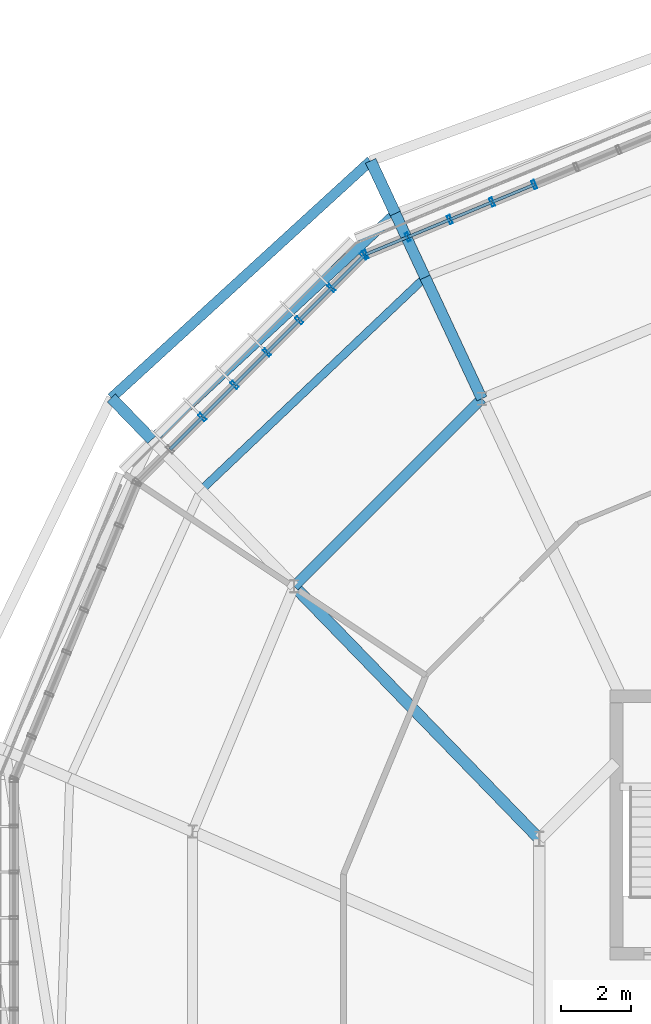
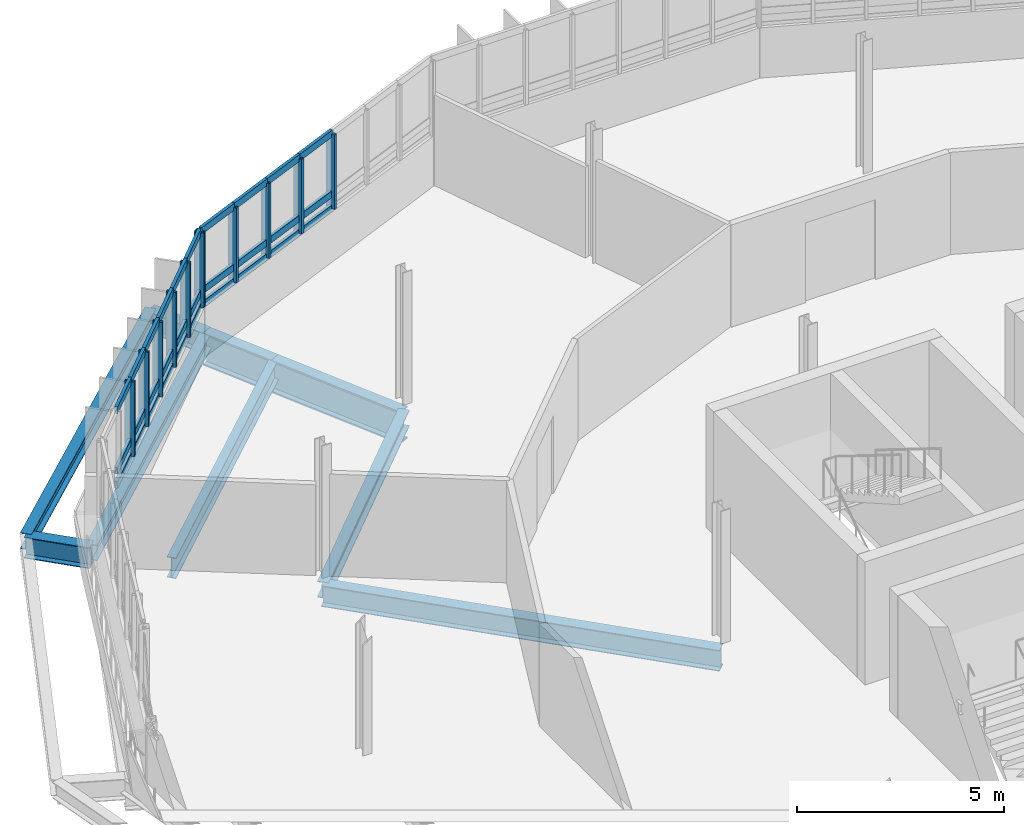
# One storey, part 16 of 38: 41 members, 9 beams, 2 elements without a shape of their own.
"""IFC4 building model written with IfcOpenShell, lengths in metres."""

from ifc_helpers import new_model, si_unit, derived_unit, direction, frame, origin, origin_2d, place, context, subcontext, project, spatial, hollow_rectangle, i_section, extrude, material, layer, layer_set, material_profile, profile_set, type_object, element, aggregate, save


model = new_model("IFC4")

# Units and contexts
model_context = context("Model", 3, precision=1e-05, world=origin(), true_north=direction((0.0, 1.0)))
body_context = subcontext(model_context, "Body", "Model", "MODEL_VIEW")
ifc_project = project(units=[si_unit("LENGTHUNIT", "METRE"), si_unit("AREAUNIT", "SQUARE_METRE"), si_unit("VOLUMEUNIT", "CUBIC_METRE"), si_unit("PLANEANGLEUNIT", "RADIAN"), si_unit("MASSUNIT", "GRAM", prefix="KILO"), derived_unit("THERMALTRANSMITTANCEUNIT", [(si_unit("MASSUNIT", "GRAM", prefix="KILO"), 1), (si_unit("TIMEUNIT", "SECOND"), -3), (si_unit("THERMODYNAMICTEMPERATUREUNIT", "KELVIN"), -1)])], contexts=[model_context])

# Site, building, storey
site_placement = place(None, origin())
site = spatial("IfcSite", under=ifc_project, at=site_placement, CompositionType="ELEMENT")
building_placement = place(site_placement, origin())
building = spatial("IfcBuilding", under=site, at=building_placement, Name="Makaiwela Harbour Ferry Terminal", CompositionType="ELEMENT")
storey_placement = place(building_placement, frame((0.0, 0.0, 17.699951171875)))
storey = spatial("IfcBuildingStorey", under=building, at=storey_placement, Name="L04", CompositionType="ELEMENT", Elevation=17.699951171875)

# Curtain wall, members
ifc_material_1 = material(Name="Marine anodised aluminium 6063-T6", Category="aluminium")
ifc_layer = layer(ifc_material_1, 0.199951171875)
ifc_layer_set = layer_set([ifc_layer], Name="Marine anodised aluminium 6063-T6")
curtain_wall_type = type_object("IfcCurtainWallType", Name="ENV-CW-06", PredefinedType="USERDEFINED", material=ifc_layer_set)
curtain_wall_1_placement = place(storey_placement, origin())
curtain_wall_1 = element("IfcCurtainWall", 1, at=curtain_wall_1_placement, inside=storey, type_object=curtain_wall_type, Name="Unitised Curtain Wall CWA-047", ObjectType="UNITIZED CURTAIN WALL", PredefinedType="USERDEFINED")
ifc_material_profile_1 = material_profile(ifc_material_1, hollow_rectangle(XDim=0.0849609375, YDim=0.25, WallThickness=0.0048828125, at=origin_2d()), Name="CWM-250X85")
ifc_profile_set_1 = profile_set([ifc_material_profile_1], Name="Marine anodised aluminium 6063-T6")
member_type_1 = type_object("IfcMemberType", Name="CW-MUL-250", PredefinedType="MULLION", material=ifc_profile_set_1)
member_1_placement = place(storey_placement, frame((27.865966796875, 90.22119140625, 1.47998046875), z_axis=(0.0, 0.0, 1.0), x_axis=(0.923879532511, 0.382683432365, 0.0)))
member_1 = element("IfcMember", 2, at=member_1_placement, type_object=member_type_1, Name="Curtain Wall Mullion CWA-047-4", PredefinedType="MULLION", context=body_context, shape_type="SweptSolid", body=[
    extrude(hollow_rectangle(XDim=0.0849609375, YDim=0.25, WallThickness=0.0048828125, at=origin_2d()), origin(), (0.0, 0.0, 1.0), 2.199951171875),
])
member_2_placement = place(storey_placement, frame((26.668701171875, 89.7255859375, 1.47998046875), z_axis=(0.0, 0.0, 1.0), x_axis=(0.923879532511, 0.382683432365, 0.0)))
member_2 = element("IfcMember", 3, at=member_2_placement, type_object=member_type_1, Name="Curtain Wall Mullion CWA-047-5", PredefinedType="MULLION", context=body_context, shape_type="SweptSolid", body=[
    extrude(hollow_rectangle(XDim=0.0849609375, YDim=0.25, WallThickness=0.0048828125, at=origin_2d()), origin(), (0.0, 0.0, 1.0), 2.199951171875),
])
member_3_placement = place(storey_placement, frame((25.4716796875, 89.2294921875, 1.47998046875), z_axis=(0.0, 0.0, 1.0), x_axis=(0.923879532511, 0.382683432365, 0.0)))
member_3 = element("IfcMember", 4, at=member_3_placement, type_object=member_type_1, Name="Curtain Wall Mullion CWA-047-6", PredefinedType="MULLION", context=body_context, shape_type="SweptSolid", body=[
    extrude(hollow_rectangle(XDim=0.0849609375, YDim=0.25, WallThickness=0.0048828125, at=origin_2d()), origin(), (0.0, 0.0, 1.0), 2.199951171875),
])
member_4_placement = place(storey_placement, frame((24.2744140625, 88.73388671875, 1.47998046875), z_axis=(0.0, 0.0, 1.0), x_axis=(0.923879532511, 0.382683432365, 0.0)))
member_4 = element("IfcMember", 5, at=member_4_placement, type_object=member_type_1, Name="Curtain Wall Mullion CWA-047-7", PredefinedType="MULLION", context=body_context, shape_type="SweptSolid", body=[
    extrude(hollow_rectangle(XDim=0.0849609375, YDim=0.25, WallThickness=0.0048828125, at=origin_2d()), origin(), (0.0, 0.0, 1.0), 2.199951171875),
])
member_5_placement = place(storey_placement, frame((23.077392578125, 88.23779296875, 1.47998046875), z_axis=(0.0, 0.0, 1.0), x_axis=(0.923879532511, 0.382683432365, 0.0)))
member_5 = element("IfcMember", 6, at=member_5_placement, type_object=member_type_1, Name="Curtain Wall Mullion CWA-047-8", PredefinedType="MULLION", context=body_context, shape_type="SweptSolid", body=[
    extrude(hollow_rectangle(XDim=0.0849609375, YDim=0.25, WallThickness=0.0048828125, at=origin_2d()), origin(), (0.0, 0.0, 1.0), 2.199951171875),
])

curtain_wall_2_placement = place(storey_placement, origin())
curtain_wall_2 = element("IfcCurtainWall", 7, at=curtain_wall_2_placement, inside=storey, type_object=curtain_wall_type, Name="Unitised Curtain Wall CWA-048", ObjectType="UNITIZED CURTAIN WALL", PredefinedType="USERDEFINED")
member_6_placement = place(storey_placement, frame((23.028564453125, 88.205078125, 1.47998046875), z_axis=(0.0, 0.0, 1.0), x_axis=(0.707106781187, 0.707106781187, 0.0)))
member_6 = element("IfcMember", 8, at=member_6_placement, type_object=member_type_1, Name="Curtain Wall Mullion CWA-048-1", PredefinedType="MULLION", context=body_context, shape_type="SweptSolid", body=[
    extrude(hollow_rectangle(XDim=0.0849609375, YDim=0.25, WallThickness=0.0048828125, at=origin_2d()), origin(), (0.0, 0.0, 1.0), 2.199951171875),
])
member_7_placement = place(storey_placement, frame((22.1123046875, 87.2890625, 1.47998046875), z_axis=(0.0, 0.0, 1.0), x_axis=(0.707106781187, 0.707106781187, 0.0)))
member_7 = element("IfcMember", 9, at=member_7_placement, type_object=member_type_1, Name="Curtain Wall Mullion CWA-048-2", PredefinedType="MULLION", context=body_context, shape_type="SweptSolid", body=[
    extrude(hollow_rectangle(XDim=0.0849609375, YDim=0.25, WallThickness=0.0048828125, at=origin_2d()), origin(), (0.0, 0.0, 1.0), 2.199951171875),
])
member_8_placement = place(storey_placement, frame((21.196044921875, 86.372802734375, 1.47998046875), z_axis=(0.0, 0.0, 1.0), x_axis=(0.707106781187, 0.707106781187, 0.0)))
member_8 = element("IfcMember", 10, at=member_8_placement, type_object=member_type_1, Name="Curtain Wall Mullion CWA-048-3", PredefinedType="MULLION", context=body_context, shape_type="SweptSolid", body=[
    extrude(hollow_rectangle(XDim=0.0849609375, YDim=0.25, WallThickness=0.0048828125, at=origin_2d()), origin(), (0.0, 0.0, 1.0), 2.199951171875),
])
member_9_placement = place(storey_placement, frame((20.27978515625, 85.45654296875, 1.47998046875), z_axis=(0.0, 0.0, 1.0), x_axis=(0.707106781187, 0.707106781187, 0.0)))
member_9 = element("IfcMember", 11, at=member_9_placement, type_object=member_type_1, Name="Curtain Wall Mullion CWA-048-4", PredefinedType="MULLION", context=body_context, shape_type="SweptSolid", body=[
    extrude(hollow_rectangle(XDim=0.0849609375, YDim=0.25, WallThickness=0.0048828125, at=origin_2d()), origin(), (0.0, 0.0, 1.0), 2.199951171875),
])
member_10_placement = place(storey_placement, frame((19.363525390625, 84.540283203125, 1.47998046875), z_axis=(0.0, 0.0, 1.0), x_axis=(0.707106781187, 0.707106781187, 0.0)))
member_10 = element("IfcMember", 12, at=member_10_placement, type_object=member_type_1, Name="Curtain Wall Mullion CWA-048-5", PredefinedType="MULLION", context=body_context, shape_type="SweptSolid", body=[
    extrude(hollow_rectangle(XDim=0.0849609375, YDim=0.25, WallThickness=0.0048828125, at=origin_2d()), origin(), (0.0, 0.0, 1.0), 2.199951171875),
])
member_11_placement = place(storey_placement, frame((18.447265625, 83.6240234375, 1.47998046875), z_axis=(0.0, 0.0, 1.0), x_axis=(0.707106781187, 0.707106781187, 0.0)))
member_11 = element("IfcMember", 13, at=member_11_placement, type_object=member_type_1, Name="Curtain Wall Mullion CWA-048-6", PredefinedType="MULLION", context=body_context, shape_type="SweptSolid", body=[
    extrude(hollow_rectangle(XDim=0.0849609375, YDim=0.25, WallThickness=0.0048828125, at=origin_2d()), origin(), (0.0, 0.0, 1.0), 2.199951171875),
])

# Member
ifc_material_profile_2 = material_profile(ifc_material_1, hollow_rectangle(XDim=0.0849609375, YDim=0.199951171875, WallThickness=0.0048828125, at=origin_2d()), Name="CWT-200X85")
ifc_profile_set_2 = profile_set([ifc_material_profile_2], Name="Marine anodised aluminium 6063-T6")
member_type_2 = type_object("IfcMemberType", Name="CW-TRN-200", PredefinedType="USERDEFINED", material=ifc_profile_set_2)
member_12_placement = place(storey_placement, frame((27.865966796875, 90.22119140625, 1.47998046875), z_axis=(-0.923966326456, -0.382473826, 0.0), x_axis=(0.382473826, -0.923966326456, 0.0)))
member_12 = element("IfcMember", 14, at=member_12_placement, type_object=member_type_2, Name="Curtain Wall Transom CWA-047-4-1", ObjectType="TRANSOM", PredefinedType="USERDEFINED", context=body_context, shape_type="SweptSolid", body=[
    extrude(hollow_rectangle(XDim=0.0849609375, YDim=0.199951171875, WallThickness=0.0048828125, at=origin_2d()), origin(), (0.0, 0.0, 1.0), 1.2958984375),
])

member_13_placement = place(storey_placement, frame((27.865966796875, 90.22119140625, 1.900146484375), z_axis=(-0.923966326456, -0.382473826, 0.0), x_axis=(0.382473826, -0.923966326456, 0.0)))
member_13 = element("IfcMember", 15, at=member_13_placement, type_object=member_type_2, Name="Curtain Wall Transom CWA-047-4-2", ObjectType="TRANSOM", PredefinedType="USERDEFINED", context=body_context, shape_type="SweptSolid", body=[
    extrude(hollow_rectangle(XDim=0.0849609375, YDim=0.199951171875, WallThickness=0.0048828125, at=origin_2d()), origin(), (0.0, 0.0, 1.0), 1.2958984375),
])

member_14_placement = place(storey_placement, frame((27.865966796875, 90.22119140625, 3.679931640625), z_axis=(-0.923966326456, -0.382473826, 0.0), x_axis=(0.382473826, -0.923966326456, 0.0)))
member_14 = element("IfcMember", 16, at=member_14_placement, type_object=member_type_2, Name="Curtain Wall Transom CWA-047-4-3", ObjectType="TRANSOM", PredefinedType="USERDEFINED", context=body_context, shape_type="SweptSolid", body=[
    extrude(hollow_rectangle(XDim=0.0849609375, YDim=0.199951171875, WallThickness=0.0048828125, at=origin_2d()), origin(), (0.0, 0.0, 1.0), 1.2958984375),
])

member_15_placement = place(storey_placement, frame((26.668701171875, 89.7255859375, 1.47998046875), z_axis=(-0.92380551211, -0.382862084562, 0.0), x_axis=(0.382862084562, -0.92380551211, 0.0)))
member_15 = element("IfcMember", 17, at=member_15_placement, type_object=member_type_2, Name="Curtain Wall Transom CWA-047-5-1", ObjectType="TRANSOM", PredefinedType="USERDEFINED", context=body_context, shape_type="SweptSolid", body=[
    extrude(hollow_rectangle(XDim=0.0849609375, YDim=0.199951171875, WallThickness=0.0048828125, at=origin_2d()), origin(), (0.0, 0.0, 1.0), 1.295654296875),
])

member_16_placement = place(storey_placement, frame((26.668701171875, 89.7255859375, 1.900146484375), z_axis=(-0.92380551211, -0.382862084562, 0.0), x_axis=(0.382862084562, -0.92380551211, 0.0)))
member_16 = element("IfcMember", 18, at=member_16_placement, type_object=member_type_2, Name="Curtain Wall Transom CWA-047-5-2", ObjectType="TRANSOM", PredefinedType="USERDEFINED", context=body_context, shape_type="SweptSolid", body=[
    extrude(hollow_rectangle(XDim=0.0849609375, YDim=0.199951171875, WallThickness=0.0048828125, at=origin_2d()), origin(), (0.0, 0.0, 1.0), 1.295654296875),
])

member_17_placement = place(storey_placement, frame((26.668701171875, 89.7255859375, 3.679931640625), z_axis=(-0.92380551211, -0.382862084562, 0.0), x_axis=(0.382862084562, -0.92380551211, 0.0)))
member_17 = element("IfcMember", 19, at=member_17_placement, type_object=member_type_2, Name="Curtain Wall Transom CWA-047-5-3", ObjectType="TRANSOM", PredefinedType="USERDEFINED", context=body_context, shape_type="SweptSolid", body=[
    extrude(hollow_rectangle(XDim=0.0849609375, YDim=0.199951171875, WallThickness=0.0048828125, at=origin_2d()), origin(), (0.0, 0.0, 1.0), 1.295654296875),
])

member_18_placement = place(storey_placement, frame((25.4716796875, 89.2294921875, 1.47998046875), z_axis=(-0.923966326456, -0.382473826, 0.0), x_axis=(0.382473826, -0.923966326456, 0.0)))
member_18 = element("IfcMember", 20, at=member_18_placement, type_object=member_type_2, Name="Curtain Wall Transom CWA-047-6-1", ObjectType="TRANSOM", PredefinedType="USERDEFINED", context=body_context, shape_type="SweptSolid", body=[
    extrude(hollow_rectangle(XDim=0.0849609375, YDim=0.199951171875, WallThickness=0.0048828125, at=origin_2d()), origin(), (0.0, 0.0, 1.0), 1.2958984375),
])

member_19_placement = place(storey_placement, frame((25.4716796875, 89.2294921875, 1.900146484375), z_axis=(-0.923966326456, -0.382473826, 0.0), x_axis=(0.382473826, -0.923966326456, 0.0)))
member_19 = element("IfcMember", 21, at=member_19_placement, type_object=member_type_2, Name="Curtain Wall Transom CWA-047-6-2", ObjectType="TRANSOM", PredefinedType="USERDEFINED", context=body_context, shape_type="SweptSolid", body=[
    extrude(hollow_rectangle(XDim=0.0849609375, YDim=0.199951171875, WallThickness=0.0048828125, at=origin_2d()), origin(), (0.0, 0.0, 1.0), 1.2958984375),
])

member_20_placement = place(storey_placement, frame((25.4716796875, 89.2294921875, 3.679931640625), z_axis=(-0.923966326456, -0.382473826, 0.0), x_axis=(0.382473826, -0.923966326456, 0.0)))
member_20 = element("IfcMember", 22, at=member_20_placement, type_object=member_type_2, Name="Curtain Wall Transom CWA-047-6-3", ObjectType="TRANSOM", PredefinedType="USERDEFINED", context=body_context, shape_type="SweptSolid", body=[
    extrude(hollow_rectangle(XDim=0.0849609375, YDim=0.199951171875, WallThickness=0.0048828125, at=origin_2d()), origin(), (0.0, 0.0, 1.0), 1.2958984375),
])

member_21_placement = place(storey_placement, frame((24.2744140625, 88.73388671875, 1.47998046875), z_axis=(-0.92380551211, -0.382862084562, 0.0), x_axis=(0.382862084562, -0.92380551211, 0.0)))
member_21 = element("IfcMember", 23, at=member_21_placement, type_object=member_type_2, Name="Curtain Wall Transom CWA-047-7-1", ObjectType="TRANSOM", PredefinedType="USERDEFINED", context=body_context, shape_type="SweptSolid", body=[
    extrude(hollow_rectangle(XDim=0.0849609375, YDim=0.199951171875, WallThickness=0.0048828125, at=origin_2d()), origin(), (0.0, 0.0, 1.0), 1.295654296875),
])

member_22_placement = place(storey_placement, frame((24.2744140625, 88.73388671875, 1.900146484375), z_axis=(-0.92380551211, -0.382862084562, 0.0), x_axis=(0.382862084562, -0.92380551211, 0.0)))
member_22 = element("IfcMember", 24, at=member_22_placement, type_object=member_type_2, Name="Curtain Wall Transom CWA-047-7-2", ObjectType="TRANSOM", PredefinedType="USERDEFINED", context=body_context, shape_type="SweptSolid", body=[
    extrude(hollow_rectangle(XDim=0.0849609375, YDim=0.199951171875, WallThickness=0.0048828125, at=origin_2d()), origin(), (0.0, 0.0, 1.0), 1.295654296875),
])

member_23_placement = place(storey_placement, frame((24.2744140625, 88.73388671875, 3.679931640625), z_axis=(-0.92380551211, -0.382862084562, 0.0), x_axis=(0.382862084562, -0.92380551211, 0.0)))
member_23 = element("IfcMember", 25, at=member_23_placement, type_object=member_type_2, Name="Curtain Wall Transom CWA-047-7-3", ObjectType="TRANSOM", PredefinedType="USERDEFINED", context=body_context, shape_type="SweptSolid", body=[
    extrude(hollow_rectangle(XDim=0.0849609375, YDim=0.199951171875, WallThickness=0.0048828125, at=origin_2d()), origin(), (0.0, 0.0, 1.0), 1.295654296875),
])

aggregate(curtain_wall_1, [member_1, member_2, member_3, member_4, member_5, member_12, member_13, member_14, member_15, member_16, member_17, member_18, member_19, member_20, member_21, member_22, member_23])

member_24_placement = place(storey_placement, frame((23.028564453125, 88.205078125, 1.47998046875), z_axis=(-0.707200993001, -0.707012556818, 0.0), x_axis=(0.707012556818, -0.707200993001, 0.0)))
member_24 = element("IfcMember", 26, at=member_24_placement, type_object=member_type_2, Name="Curtain Wall Transom CWA-048-1-1", ObjectType="TRANSOM", PredefinedType="USERDEFINED", context=body_context, shape_type="SweptSolid", body=[
    extrude(hollow_rectangle(XDim=0.0849609375, YDim=0.199951171875, WallThickness=0.0048828125, at=origin_2d()), origin(), (0.0, 0.0, 1.0), 1.295654296875),
])

member_25_placement = place(storey_placement, frame((23.028564453125, 88.205078125, 1.900146484375), z_axis=(-0.707200993001, -0.707012556818, 0.0), x_axis=(0.707012556818, -0.707200993001, 0.0)))
member_25 = element("IfcMember", 27, at=member_25_placement, type_object=member_type_2, Name="Curtain Wall Transom CWA-048-1-2", ObjectType="TRANSOM", PredefinedType="USERDEFINED", context=body_context, shape_type="SweptSolid", body=[
    extrude(hollow_rectangle(XDim=0.0849609375, YDim=0.199951171875, WallThickness=0.0048828125, at=origin_2d()), origin(), (0.0, 0.0, 1.0), 1.295654296875),
])

member_26_placement = place(storey_placement, frame((23.028564453125, 88.205078125, 3.679931640625), z_axis=(-0.707200993001, -0.707012556818, 0.0), x_axis=(0.707012556818, -0.707200993001, 0.0)))
member_26 = element("IfcMember", 28, at=member_26_placement, type_object=member_type_2, Name="Curtain Wall Transom CWA-048-1-3", ObjectType="TRANSOM", PredefinedType="USERDEFINED", context=body_context, shape_type="SweptSolid", body=[
    extrude(hollow_rectangle(XDim=0.0849609375, YDim=0.199951171875, WallThickness=0.0048828125, at=origin_2d()), origin(), (0.0, 0.0, 1.0), 1.295654296875),
])

member_27_placement = place(storey_placement, frame((22.1123046875, 87.2890625, 1.47998046875), z_axis=(-0.707106781187, -0.707106781187, 0.0), x_axis=(0.707106781187, -0.707106781187, 0.0)))
member_27 = element("IfcMember", 29, at=member_27_placement, type_object=member_type_2, Name="Curtain Wall Transom CWA-048-2-1", ObjectType="TRANSOM", PredefinedType="USERDEFINED", context=body_context, shape_type="SweptSolid", body=[
    extrude(hollow_rectangle(XDim=0.0849609375, YDim=0.199951171875, WallThickness=0.0048828125, at=origin_2d()), origin(), (0.0, 0.0, 1.0), 1.2958984375),
])

member_28_placement = place(storey_placement, frame((22.1123046875, 87.2890625, 1.900146484375), z_axis=(-0.707106781187, -0.707106781187, 0.0), x_axis=(0.707106781187, -0.707106781187, 0.0)))
member_28 = element("IfcMember", 30, at=member_28_placement, type_object=member_type_2, Name="Curtain Wall Transom CWA-048-2-2", ObjectType="TRANSOM", PredefinedType="USERDEFINED", context=body_context, shape_type="SweptSolid", body=[
    extrude(hollow_rectangle(XDim=0.0849609375, YDim=0.199951171875, WallThickness=0.0048828125, at=origin_2d()), origin(), (0.0, 0.0, 1.0), 1.2958984375),
])

member_29_placement = place(storey_placement, frame((22.1123046875, 87.2890625, 3.679931640625), z_axis=(-0.707106781187, -0.707106781187, 0.0), x_axis=(0.707106781187, -0.707106781187, 0.0)))
member_29 = element("IfcMember", 31, at=member_29_placement, type_object=member_type_2, Name="Curtain Wall Transom CWA-048-2-3", ObjectType="TRANSOM", PredefinedType="USERDEFINED", context=body_context, shape_type="SweptSolid", body=[
    extrude(hollow_rectangle(XDim=0.0849609375, YDim=0.199951171875, WallThickness=0.0048828125, at=origin_2d()), origin(), (0.0, 0.0, 1.0), 1.2958984375),
])

member_30_placement = place(storey_placement, frame((21.196044921875, 86.372802734375, 1.47998046875), z_axis=(-0.707106781187, -0.707106781187, 0.0), x_axis=(0.707106781187, -0.707106781187, 0.0)))
member_30 = element("IfcMember", 32, at=member_30_placement, type_object=member_type_2, Name="Curtain Wall Transom CWA-048-3-1", ObjectType="TRANSOM", PredefinedType="USERDEFINED", context=body_context, shape_type="SweptSolid", body=[
    extrude(hollow_rectangle(XDim=0.0849609375, YDim=0.199951171875, WallThickness=0.0048828125, at=origin_2d()), origin(), (0.0, 0.0, 1.0), 1.2958984375),
])

member_31_placement = place(storey_placement, frame((21.196044921875, 86.372802734375, 1.900146484375), z_axis=(-0.707106781187, -0.707106781187, 0.0), x_axis=(0.707106781187, -0.707106781187, 0.0)))
member_31 = element("IfcMember", 33, at=member_31_placement, type_object=member_type_2, Name="Curtain Wall Transom CWA-048-3-2", ObjectType="TRANSOM", PredefinedType="USERDEFINED", context=body_context, shape_type="SweptSolid", body=[
    extrude(hollow_rectangle(XDim=0.0849609375, YDim=0.199951171875, WallThickness=0.0048828125, at=origin_2d()), origin(), (0.0, 0.0, 1.0), 1.2958984375),
])

member_32_placement = place(storey_placement, frame((21.196044921875, 86.372802734375, 3.679931640625), z_axis=(-0.707106781187, -0.707106781187, 0.0), x_axis=(0.707106781187, -0.707106781187, 0.0)))
member_32 = element("IfcMember", 34, at=member_32_placement, type_object=member_type_2, Name="Curtain Wall Transom CWA-048-3-3", ObjectType="TRANSOM", PredefinedType="USERDEFINED", context=body_context, shape_type="SweptSolid", body=[
    extrude(hollow_rectangle(XDim=0.0849609375, YDim=0.199951171875, WallThickness=0.0048828125, at=origin_2d()), origin(), (0.0, 0.0, 1.0), 1.2958984375),
])

member_33_placement = place(storey_placement, frame((20.27978515625, 85.45654296875, 1.47998046875), z_axis=(-0.707106781187, -0.707106781187, 0.0), x_axis=(0.707106781187, -0.707106781187, 0.0)))
member_33 = element("IfcMember", 35, at=member_33_placement, type_object=member_type_2, Name="Curtain Wall Transom CWA-048-4-1", ObjectType="TRANSOM", PredefinedType="USERDEFINED", context=body_context, shape_type="SweptSolid", body=[
    extrude(hollow_rectangle(XDim=0.0849609375, YDim=0.199951171875, WallThickness=0.0048828125, at=origin_2d()), origin(), (0.0, 0.0, 1.0), 1.2958984375),
])

member_34_placement = place(storey_placement, frame((20.27978515625, 85.45654296875, 1.900146484375), z_axis=(-0.707106781187, -0.707106781187, 0.0), x_axis=(0.707106781187, -0.707106781187, 0.0)))
member_34 = element("IfcMember", 36, at=member_34_placement, type_object=member_type_2, Name="Curtain Wall Transom CWA-048-4-2", ObjectType="TRANSOM", PredefinedType="USERDEFINED", context=body_context, shape_type="SweptSolid", body=[
    extrude(hollow_rectangle(XDim=0.0849609375, YDim=0.199951171875, WallThickness=0.0048828125, at=origin_2d()), origin(), (0.0, 0.0, 1.0), 1.2958984375),
])

member_35_placement = place(storey_placement, frame((20.27978515625, 85.45654296875, 3.679931640625), z_axis=(-0.707106781187, -0.707106781187, 0.0), x_axis=(0.707106781187, -0.707106781187, 0.0)))
member_35 = element("IfcMember", 37, at=member_35_placement, type_object=member_type_2, Name="Curtain Wall Transom CWA-048-4-3", ObjectType="TRANSOM", PredefinedType="USERDEFINED", context=body_context, shape_type="SweptSolid", body=[
    extrude(hollow_rectangle(XDim=0.0849609375, YDim=0.199951171875, WallThickness=0.0048828125, at=origin_2d()), origin(), (0.0, 0.0, 1.0), 1.2958984375),
])

member_36_placement = place(storey_placement, frame((19.363525390625, 84.540283203125, 1.47998046875), z_axis=(-0.707106781187, -0.707106781187, 0.0), x_axis=(0.707106781187, -0.707106781187, 0.0)))
member_36 = element("IfcMember", 38, at=member_36_placement, type_object=member_type_2, Name="Curtain Wall Transom CWA-048-5-1", ObjectType="TRANSOM", PredefinedType="USERDEFINED", context=body_context, shape_type="SweptSolid", body=[
    extrude(hollow_rectangle(XDim=0.0849609375, YDim=0.199951171875, WallThickness=0.0048828125, at=origin_2d()), origin(), (0.0, 0.0, 1.0), 1.2958984375),
])

member_37_placement = place(storey_placement, frame((19.363525390625, 84.540283203125, 1.900146484375), z_axis=(-0.707106781187, -0.707106781187, 0.0), x_axis=(0.707106781187, -0.707106781187, 0.0)))
member_37 = element("IfcMember", 39, at=member_37_placement, type_object=member_type_2, Name="Curtain Wall Transom CWA-048-5-2", ObjectType="TRANSOM", PredefinedType="USERDEFINED", context=body_context, shape_type="SweptSolid", body=[
    extrude(hollow_rectangle(XDim=0.0849609375, YDim=0.199951171875, WallThickness=0.0048828125, at=origin_2d()), origin(), (0.0, 0.0, 1.0), 1.2958984375),
])

member_38_placement = place(storey_placement, frame((19.363525390625, 84.540283203125, 3.679931640625), z_axis=(-0.707106781187, -0.707106781187, 0.0), x_axis=(0.707106781187, -0.707106781187, 0.0)))
member_38 = element("IfcMember", 40, at=member_38_placement, type_object=member_type_2, Name="Curtain Wall Transom CWA-048-5-3", ObjectType="TRANSOM", PredefinedType="USERDEFINED", context=body_context, shape_type="SweptSolid", body=[
    extrude(hollow_rectangle(XDim=0.0849609375, YDim=0.199951171875, WallThickness=0.0048828125, at=origin_2d()), origin(), (0.0, 0.0, 1.0), 1.2958984375),
])

member_39_placement = place(storey_placement, frame((18.447265625, 83.6240234375, 1.47998046875), z_axis=(-0.707106781187, -0.707106781187, 0.0), x_axis=(0.707106781187, -0.707106781187, 0.0)))
member_39 = element("IfcMember", 41, at=member_39_placement, type_object=member_type_2, Name="Curtain Wall Transom CWA-048-6-1", ObjectType="TRANSOM", PredefinedType="USERDEFINED", context=body_context, shape_type="SweptSolid", body=[
    extrude(hollow_rectangle(XDim=0.0849609375, YDim=0.199951171875, WallThickness=0.0048828125, at=origin_2d()), origin(), (0.0, 0.0, 1.0), 1.2958984375),
])

member_40_placement = place(storey_placement, frame((18.447265625, 83.6240234375, 1.900146484375), z_axis=(-0.707106781187, -0.707106781187, 0.0), x_axis=(0.707106781187, -0.707106781187, 0.0)))
member_40 = element("IfcMember", 42, at=member_40_placement, type_object=member_type_2, Name="Curtain Wall Transom CWA-048-6-2", ObjectType="TRANSOM", PredefinedType="USERDEFINED", context=body_context, shape_type="SweptSolid", body=[
    extrude(hollow_rectangle(XDim=0.0849609375, YDim=0.199951171875, WallThickness=0.0048828125, at=origin_2d()), origin(), (0.0, 0.0, 1.0), 1.2958984375),
])

member_41_placement = place(storey_placement, frame((18.447265625, 83.6240234375, 3.679931640625), z_axis=(-0.707106781187, -0.707106781187, 0.0), x_axis=(0.707106781187, -0.707106781187, 0.0)))
member_41 = element("IfcMember", 43, at=member_41_placement, type_object=member_type_2, Name="Curtain Wall Transom CWA-048-6-3", ObjectType="TRANSOM", PredefinedType="USERDEFINED", context=body_context, shape_type="SweptSolid", body=[
    extrude(hollow_rectangle(XDim=0.0849609375, YDim=0.199951171875, WallThickness=0.0048828125, at=origin_2d()), origin(), (0.0, 0.0, 1.0), 1.2958984375),
])

aggregate(curtain_wall_2, [member_6, member_7, member_8, member_9, member_10, member_11, member_24, member_25, member_26, member_27, member_28, member_29, member_30, member_31, member_32, member_33, member_34, member_35, member_36, member_37, member_38, member_39, member_40, member_41])

# Beams
ifc_material_2 = material(Name="Steel ASTM A992 Grade 50", Category="steel")
ifc_material_profile_3 = material_profile(ifc_material_2, i_section(OverallWidth=0.280029296875, OverallDepth=0.462890625, WebThickness=0.0107421875, FlangeThickness=0.017333984375, at=origin_2d()), Name="W18X76")
ifc_profile_set_3 = profile_set([ifc_material_profile_3], Name="Steel ASTM A992 Grade 50")
beam_type_1 = type_object("IfcBeamType", Name="STR-BM-W18X76", PredefinedType="BEAM", material=ifc_profile_set_3)
beam_1_placement = place(storey_placement, frame((23.92138671875, 89.40185546875, -0.486572265625), z_axis=(-0.732663441999, -0.680591125977, 0.0), x_axis=(0.680591125977, -0.732663441999, 0.0)))
element("IfcBeam", 44, at=beam_1_placement, inside=storey, type_object=beam_type_1, Name="Drum stage2 tie girder 464", PredefinedType="BEAM", context=body_context, shape_type="SweptSolid", body=[
    extrude(i_section(OverallWidth=0.280029296875, OverallDepth=0.462890625, WebThickness=0.0107421875, FlangeThickness=0.017333984375, at=origin_2d()), origin(), (0.0, 0.0, 1.0), 9.428466796875),
])
ifc_material_profile_4 = material_profile(ifc_material_2, i_section(OverallWidth=0.324951171875, OverallDepth=0.615966796875, WebThickness=0.013916015625, FlangeThickness=0.021484375, at=origin_2d()), Name="W24X117")
ifc_profile_set_4 = profile_set([ifc_material_profile_4], Name="Steel ASTM A992 Grade 50")
beam_type_2 = type_object("IfcBeamType", Name="STR-GRD-W24X117", PredefinedType="USERDEFINED", material=ifc_profile_set_4)
beam_2_placement = place(storey_placement, frame((23.92138671875, 89.40185546875, -0.56298828125), z_axis=(-0.423379579508, 0.905952389287, 0.0), x_axis=(-0.905952389287, -0.423379579508, 0.0)))
element("IfcBeam", 45, at=beam_2_placement, inside=storey, type_object=beam_type_2, Name="Promenade terrace bracket 419", ObjectType="GIRDER", PredefinedType="USERDEFINED", context=body_context, shape_type="SweptSolid", body=[
    extrude(i_section(OverallWidth=0.324951171875, OverallDepth=0.615966796875, WebThickness=0.013916015625, FlangeThickness=0.021484375, at=origin_2d()), origin(), (0.0, 0.0, 1.0), 1.64990234375),
])
beam_3_placement = place(storey_placement, frame((28.0068359375, 71.656494140625, -0.56298828125), z_axis=(-0.696428721194, 0.717625972423, 0.0), x_axis=(-0.717625972423, -0.696428721194, 0.0)))
element("IfcBeam", 46, at=beam_3_placement, inside=storey, type_object=beam_type_2, Name="Drum radial girder 420", ObjectType="GIRDER", PredefinedType="USERDEFINED", context=body_context, shape_type="SweptSolid", body=[
    extrude(i_section(OverallWidth=0.324951171875, OverallDepth=0.615966796875, WebThickness=0.013916015625, FlangeThickness=0.021484375, at=origin_2d()), origin(), (0.0, 0.0, 1.0), 9.98583984375),
])
beam_4_placement = place(storey_placement, frame((17.013427734375, 82.98486328125, -0.56298828125), z_axis=(-0.696448486815, 0.717606790111, 0.0), x_axis=(-0.717606790111, -0.696448486815, 0.0)))
element("IfcBeam", 47, at=beam_4_placement, inside=storey, type_object=beam_type_2, Name="Promenade terrace bracket 423", ObjectType="GIRDER", PredefinedType="USERDEFINED", context=body_context, shape_type="SweptSolid", body=[
    extrude(i_section(OverallWidth=0.324951171875, OverallDepth=0.615966796875, WebThickness=0.013916015625, FlangeThickness=0.021484375, at=origin_2d()), origin(), (0.0, 0.0, 1.0), 1.650146484375),
])
ifc_material_profile_5 = material_profile(ifc_material_2, i_section(OverallWidth=0.22900390625, OverallDepth=0.612060546875, WebThickness=0.011962890625, FlangeThickness=0.01953125, at=origin_2d()), Name="W24X84")
ifc_profile_set_5 = profile_set([ifc_material_profile_5], Name="Steel ASTM A992 Grade 50")
beam_type_3 = type_object("IfcBeamType", Name="STR-GRD-W24X84", PredefinedType="USERDEFINED", material=ifc_profile_set_5)
beam_5_placement = place(storey_placement, frame((24.768310546875, 87.58984375, -0.56103515625), z_axis=(-0.725208541856, -0.688529281018, 0.0), x_axis=(0.688529281018, -0.725208541856, 0.0)))
element("IfcBeam", 48, at=beam_5_placement, inside=storey, type_object=beam_type_3, Name="Drum overhang tie girder 463", ObjectType="GIRDER", PredefinedType="USERDEFINED", context=body_context, shape_type="SweptSolid", body=[
    extrude(i_section(OverallWidth=0.22900390625, OverallDepth=0.612060546875, WebThickness=0.011962890625, FlangeThickness=0.01953125, at=origin_2d()), origin(), (0.0, 0.0, 1.0), 8.772705078125),
])
ifc_material_profile_6 = material_profile(ifc_material_2, i_section(OverallWidth=0.31005859375, OverallDepth=0.949951171875, WebThickness=0.0244140625, FlangeThickness=0.0439453125, at=origin_2d()), Name="W36X256")
ifc_profile_set_6 = profile_set([ifc_material_profile_6], Name="Steel ASTM A992 Grade 50")
beam_type_4 = type_object("IfcBeamType", Name="STR-GRD-W36X256", PredefinedType="USERDEFINED", material=ifc_profile_set_6)
beam_6_placement = place(storey_placement, frame((26.37744140625, 84.1474609375, -0.72998046875), z_axis=(-0.423465730758, 0.905912123152, 0.0), x_axis=(-0.905912123152, -0.423465730758, 0.0)))
element("IfcBeam", 49, at=beam_6_placement, inside=storey, type_object=beam_type_4, Name="Drum radial overhang 417", ObjectType="GIRDER", PredefinedType="USERDEFINED", context=body_context, shape_type="SweptSolid", body=[
    extrude(i_section(OverallWidth=0.31005859375, OverallDepth=0.949951171875, WebThickness=0.0244140625, FlangeThickness=0.0439453125, at=origin_2d()), origin(), (0.0, 0.0, 1.0), 3.7998046875),
])
beam_7_placement = place(storey_placement, frame((24.768310546875, 87.58984375, -0.72998046875), z_axis=(-0.423426642, 0.90593039404, 0.0), x_axis=(-0.90593039404, -0.423426642, 0.0)))
element("IfcBeam", 50, at=beam_7_placement, inside=storey, type_object=beam_type_4, Name="Drum overhang radial girder 418", ObjectType="GIRDER", PredefinedType="USERDEFINED", context=body_context, shape_type="SweptSolid", body=[
    extrude(i_section(OverallWidth=0.31005859375, OverallDepth=0.949951171875, WebThickness=0.0244140625, FlangeThickness=0.0439453125, at=origin_2d()), origin(), (0.0, 0.0, 1.0), 2.000244140625),
])
ifc_material_profile_7 = material_profile(ifc_material_2, i_section(OverallWidth=0.283935546875, OverallDepth=0.47607421875, WebThickness=0.014892578125, FlangeThickness=0.02392578125, at=origin_2d()), Name="W18X106")
ifc_profile_set_7 = profile_set([ifc_material_profile_7], Name="Steel ASTM A992 Grade 50")
beam_type_5 = type_object("IfcBeamType", Name="STR-SPN-W18X106", PredefinedType="SPANDREL", material=ifc_profile_set_7)
beam_8_placement = place(storey_placement, frame((26.37744140625, 84.1474609375, -0.492919921875), z_axis=(-0.707106781187, -0.707106781187, 0.0), x_axis=(0.707106781187, -0.707106781187, 0.0)))
element("IfcBeam", 51, at=beam_8_placement, inside=storey, type_object=beam_type_5, Name="Drum column ring girder 386", PredefinedType="SPANDREL", context=body_context, shape_type="SweptSolid", body=[
    extrude(i_section(OverallWidth=0.283935546875, OverallDepth=0.47607421875, WebThickness=0.014892578125, FlangeThickness=0.02392578125, at=origin_2d()), origin(), (0.0, 0.0, 1.0), 7.530517578125),
])
beam_9_placement = place(storey_placement, frame((23.222900390625, 90.896484375, -0.492919921875), z_axis=(-0.738046928899, -0.674749383655, 0.0), x_axis=(0.674749383655, -0.738046928899, 0.0)))
element("IfcBeam", 52, at=beam_9_placement, inside=storey, type_object=beam_type_5, Name="Drum perimeter spandrel 485", PredefinedType="SPANDREL", context=body_context, shape_type="SweptSolid", body=[
    extrude(i_section(OverallWidth=0.283935546875, OverallDepth=0.47607421875, WebThickness=0.014892578125, FlangeThickness=0.02392578125, at=origin_2d()), origin(), (0.0, 0.0, 1.0), 9.970458984375),
])

save(model, "model.ifc")
